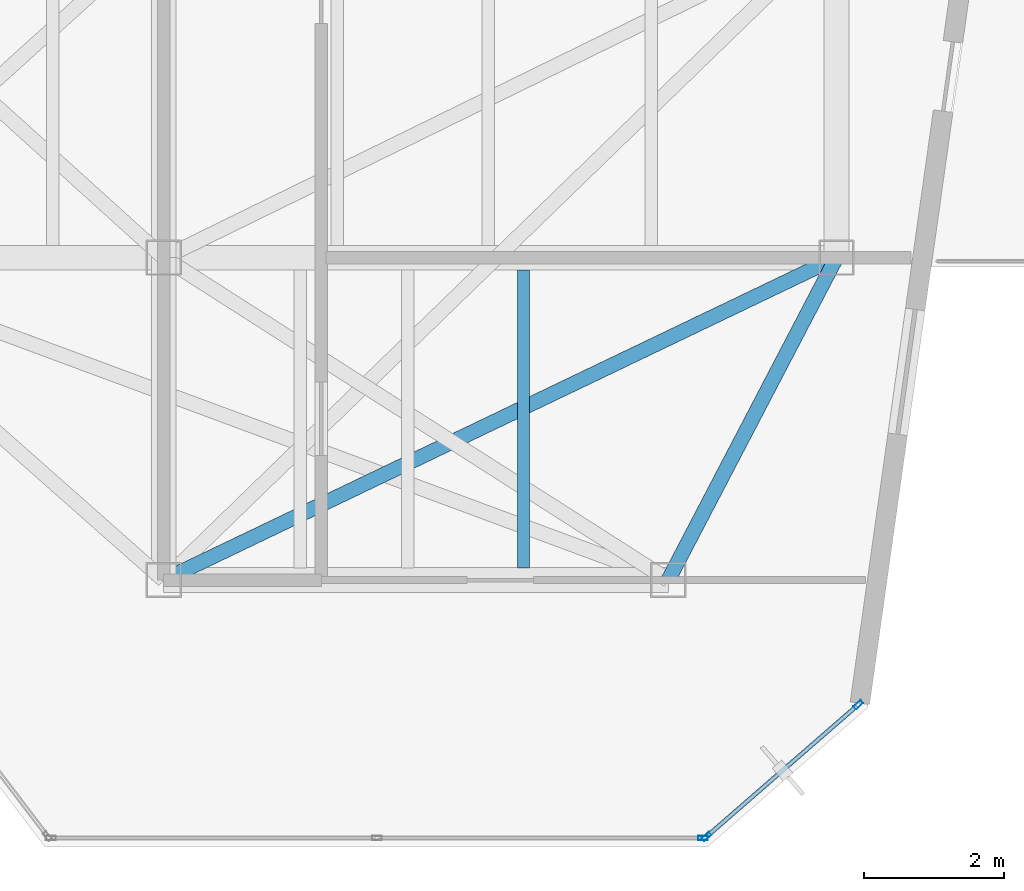
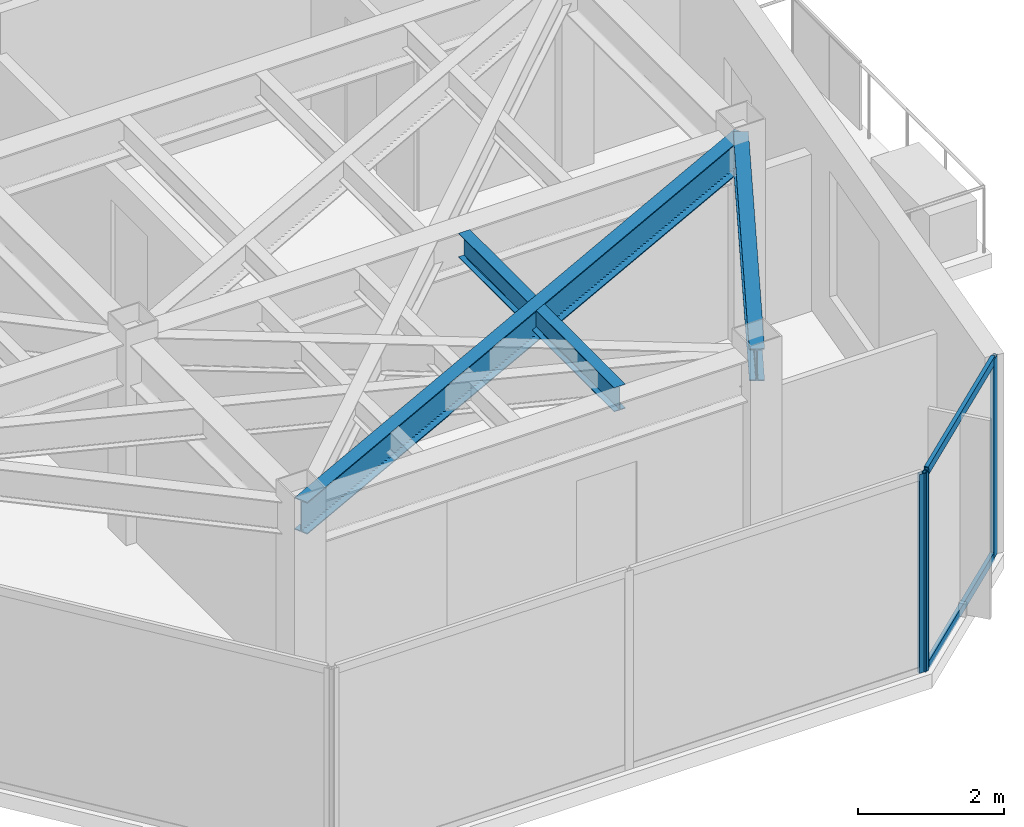
# One storey, part 13 of 19: 5 members, 3 beams, 2 elements without a shape of their own.
"""IFC4 building model written with IfcOpenShell, lengths in metres."""

from ifc_helpers import new_model, si_unit, direction, frame, origin, origin_2d, place, context, subcontext, project, spatial, hollow_rectangle, i_section, extrude, material, layer, layer_set, material_profile, profile_set, type_object, element, aggregate, save


model = new_model("IFC4")

# Units and contexts
model_context = context("Model", 3, precision=1e-05, world=origin(), true_north=direction((0.0, 1.0)))
body_context = subcontext(model_context, "Body", "Model", "MODEL_VIEW")
ifc_project = project(units=[si_unit("LENGTHUNIT", "METRE"), si_unit("AREAUNIT", "SQUARE_METRE"), si_unit("VOLUMEUNIT", "CUBIC_METRE"), si_unit("PLANEANGLEUNIT", "RADIAN"), si_unit("MASSUNIT", "GRAM", prefix="KILO")], contexts=[model_context])

# Site, building, storey
site_placement = place(None, origin())
site = spatial("IfcSite", under=ifc_project, at=site_placement, CompositionType="ELEMENT")
building_placement = place(site_placement, origin())
building = spatial("IfcBuilding", under=site, at=building_placement, Name="Kravanh Interchange Tower", CompositionType="ELEMENT")
storey_placement = place(building_placement, frame((0.0, 0.0, 274.199951171875)))
storey = spatial("IfcBuildingStorey", under=building, at=storey_placement, Name="L67", CompositionType="ELEMENT", Elevation=274.199951171875)

# Curtain wall, members
ifc_material_1 = material(Name="Anodised Bronze Aluminium", Category="aluminium")
ifc_layer = layer(ifc_material_1, 0.179931640625)
ifc_layer_set = layer_set([ifc_layer], Name="Unitised Curtain Wall System CW-HTL Luxury Hotel")
curtain_wall_type = type_object("IfcCurtainWallType", Name="Unitised Curtain Wall System CW-HTL Luxury Hotel", PredefinedType="NOTDEFINED", material=ifc_layer_set)
curtain_wall_1_placement = place(storey_placement, origin())
curtain_wall_1 = element("IfcCurtainWall", 1, at=curtain_wall_1_placement, inside=storey, type_object=curtain_wall_type, Name="L67 Unitised Curtain Wall CW-L67-02", PredefinedType="NOTDEFINED")
ifc_material_2 = material(Name="Anodised Bronze Aluminium", Category="aluminium")
ifc_material_profile_1 = material_profile(ifc_material_2, hollow_rectangle(XDim=0.06005859375, YDim=0.139892578125, WallThickness=0.00390625, at=origin_2d()), Name="ALU60X140X4")
ifc_profile_set_1 = profile_set([ifc_material_profile_1], Name="Anodised Bronze Aluminium")
member_type_1 = type_object("IfcMemberType", Name="Curtain Wall Mullion ALU60X140X4 Bronze", PredefinedType="MULLION", material=ifc_profile_set_1)
member_1_placement = place(storey_placement, frame((65.912841796875, 20.421875, 0.0), z_axis=(0.0, 0.0, 1.0), x_axis=(0.656033323139, -0.75473192521, 0.0)))
member_1 = element("IfcMember", 2, at=member_1_placement, type_object=member_type_1, Name="CW-HTL mullion 1", PredefinedType="MULLION", context=body_context, shape_type="SweptSolid", body=[
    extrude(hollow_rectangle(XDim=0.06005859375, YDim=0.139892578125, WallThickness=0.00390625, at=origin_2d()), origin(), (0.0, 0.0, 1.0), 3.320068359375),
])
member_2_placement = place(storey_placement, frame((63.74755859375, 18.539794921875, 0.0), z_axis=(0.0, 0.0, 1.0), x_axis=(0.656033323139, -0.75473192521, 0.0)))
member_2 = element("IfcMember", 3, at=member_2_placement, type_object=member_type_1, Name="CW-HTL mullion 2", PredefinedType="MULLION", context=body_context, shape_type="SweptSolid", body=[
    extrude(hollow_rectangle(XDim=0.06005859375, YDim=0.139892578125, WallThickness=0.00390625, at=origin_2d()), origin(), (0.0, 0.0, 1.0), 3.320068359375),
])

# Curtain wall, member
curtain_wall_2_placement = place(storey_placement, origin())
curtain_wall_2 = element("IfcCurtainWall", 4, at=curtain_wall_2_placement, inside=storey, type_object=curtain_wall_type, Name="L67 Unitised Curtain Wall CW-L67-03", PredefinedType="NOTDEFINED")
member_3_placement = place(storey_placement, frame((63.69482421875, 18.52001953125, 0.0), z_axis=(0.0, 0.0, 1.0), x_axis=(0.0, -1.0, 0.0)))
member_3 = element("IfcMember", 5, at=member_3_placement, type_object=member_type_1, Name="CW-HTL mullion 1", PredefinedType="MULLION", context=body_context, shape_type="SweptSolid", body=[
    extrude(hollow_rectangle(XDim=0.06005859375, YDim=0.139892578125, WallThickness=0.00390625, at=origin_2d()), origin(), (0.0, 0.0, 1.0), 3.320068359375),
])
aggregate(curtain_wall_2, [member_3])

# Member
ifc_material_3 = material(Name="Anodised Bronze Aluminium", Category="aluminium")
ifc_material_profile_2 = material_profile(ifc_material_3, hollow_rectangle(XDim=0.06005859375, YDim=0.139892578125, WallThickness=0.00390625, at=origin_2d()), Name="ALU60X140X4")
ifc_profile_set_2 = profile_set([ifc_material_profile_2], Name="Anodised Bronze Aluminium")
member_type_2 = type_object("IfcMemberType", Name="Curtain Wall Transom ALU60X140X4 Bronze", PredefinedType="USERDEFINED", material=ifc_profile_set_2)
member_4_placement = place(storey_placement, frame((65.89013671875, 20.40234375, 0.030029296875), z_axis=(-0.754704676026, -0.656064670581, 0.0), x_axis=(0.656064670581, -0.754704676026, 0.0)))
member_4 = element("IfcMember", 6, at=member_4_placement, type_object=member_type_2, Name="CW-HTL transom 1.1", ObjectType="TRANSOM", PredefinedType="USERDEFINED", context=body_context, shape_type="SweptSolid", body=[
    extrude(hollow_rectangle(XDim=0.06005859375, YDim=0.139892578125, WallThickness=0.00390625, at=origin_2d()), origin(), (0.0, 0.0, 1.0), 2.80908203125),
])

member_5_placement = place(storey_placement, frame((65.89013671875, 20.40234375, 3.2900390625), z_axis=(-0.754704676026, -0.656064670581, 0.0), x_axis=(0.656064670581, -0.754704676026, 0.0)))
member_5 = element("IfcMember", 7, at=member_5_placement, type_object=member_type_2, Name="CW-HTL transom 1.2", ObjectType="TRANSOM", PredefinedType="USERDEFINED", context=body_context, shape_type="SweptSolid", body=[
    extrude(hollow_rectangle(XDim=0.06005859375, YDim=0.139892578125, WallThickness=0.00390625, at=origin_2d()), origin(), (0.0, 0.0, 1.0), 2.80908203125),
])

aggregate(curtain_wall_1, [member_1, member_2, member_4, member_5])

# Beams
ifc_material_4 = material(Name="Structural Steel S355", Category="steel")
ifc_material_profile_3 = material_profile(ifc_material_4, i_section(OverallWidth=0.177978515625, OverallDepth=0.406005859375, WebThickness=0.0078125, FlangeThickness=0.0126953125, FilletRadius=0.01611328125, at=origin_2d()), Name="W16X40")
ifc_profile_set_3 = profile_set([ifc_material_profile_3], Name="Structural Steel S355")
beam_type_1 = type_object("IfcBeamType", Name="Floor Joist W16X40 Structural Steel S355", PredefinedType="JOIST", material=ifc_profile_set_3)
beam_1_placement = place(storey_placement, frame((61.134033203125, 22.37255859375, 3.116943359375), z_axis=(0.0, 1.0, 0.0), x_axis=(-1.0, 0.0, 0.0)))
element("IfcBeam", 8, at=beam_1_placement, inside=storey, type_object=beam_type_1, Name="L67 Secondary Floor Joist 3", PredefinedType="JOIST", context=body_context, shape_type="SweptSolid", body=[
    extrude(i_section(OverallWidth=0.177978515625, OverallDepth=0.406005859375, WebThickness=0.0078125, FlangeThickness=0.0126953125, FilletRadius=0.01611328125, at=origin_2d()), origin(), (0.0, 0.0, 1.0), 4.2548828125),
])
ifc_material_5 = material(Name="Structural Steel S355", Category="steel")
ifc_material_profile_4 = material_profile(ifc_material_5, i_section(OverallWidth=0.2099609375, OverallDepth=0.537109375, WebThickness=0.010986328125, FlangeThickness=0.017333984375, FilletRadius=0.02001953125, at=origin_2d()), Name="W21X68")
ifc_profile_set_4 = profile_set([ifc_material_profile_4], Name="Structural Steel S355")
beam_type_2 = type_object("IfcBeamType", Name="Floor Spandrel W21X68 Structural Steel S355", PredefinedType="SPANDREL", material=ifc_profile_set_4)
beam_2_placement = place(storey_placement, frame((65.60009765625, 26.800048828125, 3.051513671875), z_axis=(-0.462580479178, -0.886577295155, 0.0), x_axis=(0.886577295155, -0.462580479178, 0.0)))
element("IfcBeam", 9, at=beam_2_placement, inside=storey, type_object=beam_type_2, Name="L67 Perimeter Spandrel 31", PredefinedType="SPANDREL", context=body_context, shape_type="SweptSolid", body=[
    extrude(i_section(OverallWidth=0.2099609375, OverallDepth=0.537109375, WebThickness=0.010986328125, FlangeThickness=0.017333984375, FilletRadius=0.02001953125, at=origin_2d()), origin(), (0.0, 0.0, 1.0), 5.188720703125),
])
beam_3_placement = place(storey_placement, frame((65.60009765625, 26.800048828125, 3.051513671875), z_axis=(-0.901814166789, -0.432124066188, 0.0), x_axis=(0.432124066188, -0.901814166789, 0.0)))
element("IfcBeam", 10, at=beam_3_placement, inside=storey, type_object=beam_type_2, Name="L67 Perimeter Spandrel 32", PredefinedType="SPANDREL", context=body_context, shape_type="SweptSolid", body=[
    extrude(i_section(OverallWidth=0.2099609375, OverallDepth=0.537109375, WebThickness=0.010986328125, FlangeThickness=0.017333984375, FilletRadius=0.02001953125, at=origin_2d()), origin(), (0.0, 0.0, 1.0), 10.645263671875),
])

save(model, "model.ifc")
